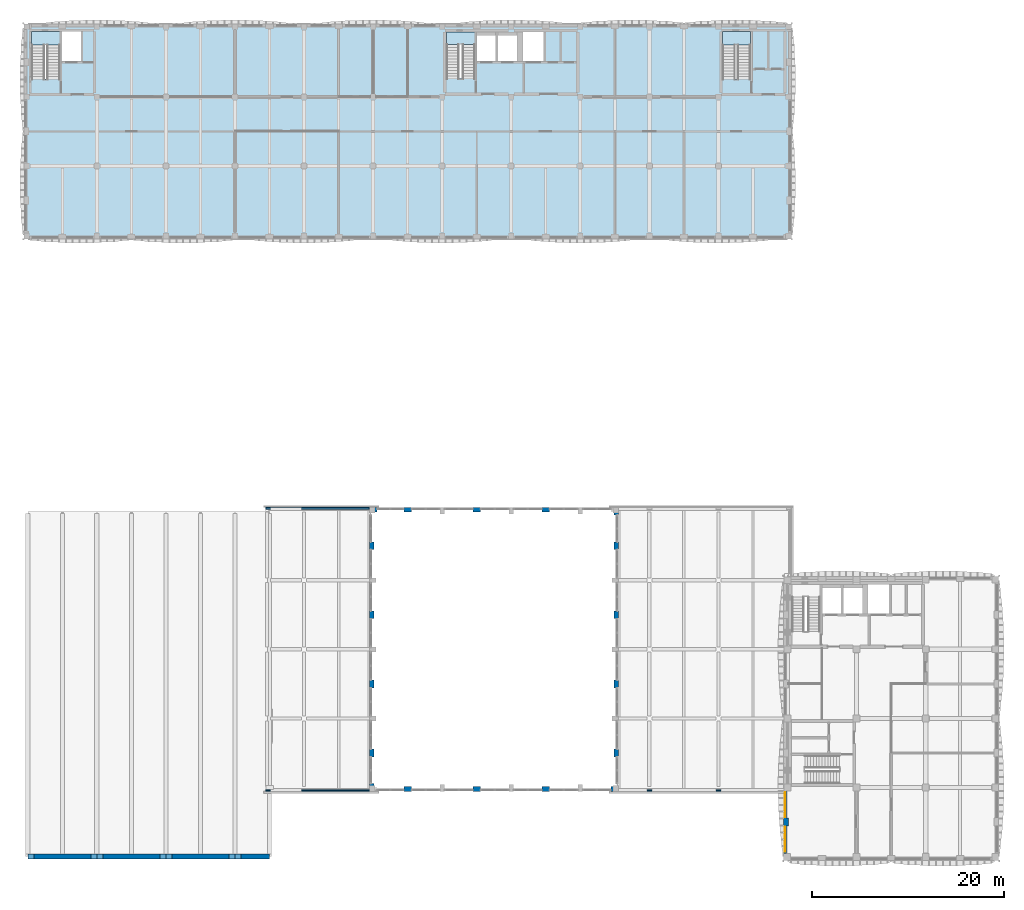
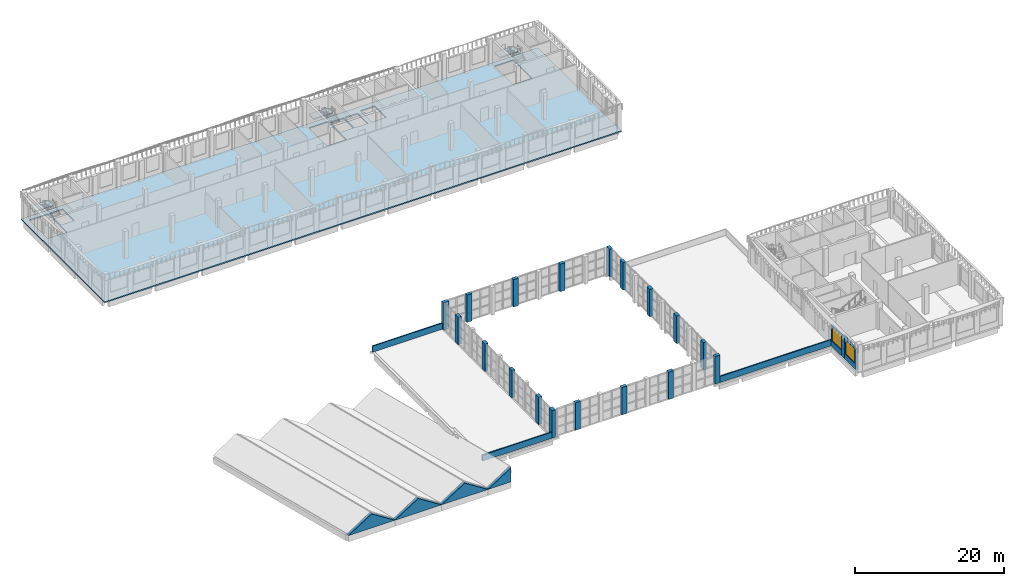
# One storey, part 13 of 44: 28 walls, 4 slabs, 2 windows, 2 openings, 3 elements without a shape of their own.
"""IFC4 building model written with IfcOpenShell, lengths in metres."""

from ifc_helpers import new_model, si_unit, direction, frame, frame_2d, origin, place, context, subcontext, project, spatial, polyline, rectangle, outline, extrude, material, layer, layer_set, type_object, element, fill, aggregate, save


model = new_model("IFC4")

# Units and contexts
model_context = context("Model", 3, precision=1e-05, world=origin(), true_north=direction((0.0, 1.0)))
body_context = subcontext(model_context, "Body", "Model", "MODEL_VIEW")
ifc_project = project(units=[si_unit("LENGTHUNIT", "METRE"), si_unit("AREAUNIT", "SQUARE_METRE"), si_unit("VOLUMEUNIT", "CUBIC_METRE"), si_unit("PLANEANGLEUNIT", "RADIAN"), si_unit("MASSUNIT", "GRAM", prefix="KILO")], contexts=[model_context])

# Site, building, storey
site_placement = place(None, origin())
site = spatial("IfcSite", under=ifc_project, at=site_placement, CompositionType="ELEMENT")
building_placement = place(site_placement, origin())
building = spatial("IfcBuilding", under=site, at=building_placement, Name="Ussher Court Research Institute", CompositionType="ELEMENT")
storey_placement = place(building_placement, frame((0.0, 0.0, 18.89990234375)))
storey = spatial("IfcBuildingStorey", under=building, at=storey_placement, Name="L04", CompositionType="ELEMENT", Elevation=18.89990234375)

# Slab
ifc_material_1 = material(Name="Concrete C35/45", Category="concrete")
ifc_layer_1 = layer(ifc_material_1, 0.199951171875)
ifc_layer_set_1 = layer_set([ifc_layer_1], Name="Concrete C35/45")
slab_type_1 = type_object("IfcSlabType", Name="Floor slab 200", PredefinedType="FLOOR", material=ifc_layer_set_1)
slab_1_placement = place(storey_placement, frame((0.0, 0.0, -0.199951171875)))
element("IfcSlab", 1, at=slab_1_placement, inside=storey, type_object=slab_type_1, Name="FS200 V5 L04-01", PredefinedType="FLOOR", context=body_context, shape_type="SweptSolid", body=[
    extrude(outline(polyline([(82.60009765625, 90.800048828125), (2.60009765625, 90.800048828125), (2.60009765625, 68.39990234375), (82.60009765625, 68.39990234375), (82.60009765625, 90.800048828125)]), holes=[polyline([(6.35009765625, 85.050048828125), (3.39990234375, 85.050048828125), (3.39990234375, 90.0), (6.35009765625, 90.0), (6.35009765625, 85.050048828125)]), polyline([(46.64990234375, 85.10009765625), (46.64990234375, 89.949951171875), (49.60009765625, 89.949951171875), (49.60009765625, 85.10009765625), (46.64990234375, 85.10009765625)]), polyline([(51.800048828125, 86.89990234375), (49.800048828125, 86.89990234375), (49.800048828125, 89.60009765625), (51.800048828125, 89.60009765625), (51.800048828125, 86.89990234375)]), polyline([(54.0, 89.60009765625), (54.0, 86.89990234375), (52.0, 86.89990234375), (52.0, 89.60009765625), (54.0, 89.60009765625)]), polyline([(56.800048828125, 86.89990234375), (54.60009765625, 86.89990234375), (54.60009765625, 89.949951171875), (56.800048828125, 89.949951171875), (56.800048828125, 86.89990234375)]), polyline([(8.550048828125, 86.89990234375), (6.550048828125, 86.89990234375), (6.550048828125, 90.0), (8.550048828125, 90.0), (8.550048828125, 86.89990234375)]), polyline([(75.39990234375, 85.050048828125), (75.39990234375, 90.0), (78.35009765625, 90.0), (78.35009765625, 85.050048828125), (75.39990234375, 85.050048828125)])]), origin(), (0.0, 0.0, 1.0), 0.199951171875),
])

# Stair, slab
ifc_material_2 = material(Name="Concrete C35/45", Category="concrete")
stair_type_1 = type_object("IfcStairType", Name="Core stair 26 risers 173 mm x 300 going 1280 wide", PredefinedType="HALF_TURN_STAIR", material=ifc_material_2)
stair_1_placement = place(storey_placement, origin())
stair_1 = element("IfcStair", 2, at=stair_1_placement, inside=storey, type_object=stair_type_1, Name="L04 Stair D2", PredefinedType="HALF_TURN_STAIR")
ifc_material_3 = material(Name="Concrete C35/45", Category="concrete")
ifc_layer_2 = layer(ifc_material_3, 0.199951171875)
ifc_layer_set_2 = layer_set([ifc_layer_2], Name="Concrete C35/45")
slab_type_2 = type_object("IfcSlabType", Name="Stair landing 200 RC", PredefinedType="LANDING", material=ifc_layer_set_2)
slab_2_placement = place(storey_placement, frame((0.0, 0.0, 2.050048828125)))
slab_2 = element("IfcSlab", 3, at=slab_2_placement, type_object=slab_type_2, Name="D2 landing 1", PredefinedType="LANDING", context=body_context, shape_type="SweptSolid", body=[
    extrude(outline(polyline([(49.60009765625, 88.64990234375), (49.60009765625, 89.949951171875), (46.64990234375, 89.949951171875), (46.64990234375, 88.64990234375), (49.60009765625, 88.64990234375)])), origin(), (0.0, 0.0, 1.0), 0.199951171875),
])
aggregate(stair_1, [slab_2])

ifc_material_4 = material(Name="Concrete C35/45", Category="concrete")
stair_type_2 = type_object("IfcStairType", Name="Core stair 26 risers 173 mm x 300 going 1350 wide", PredefinedType="HALF_TURN_STAIR", material=ifc_material_4)
stair_2_placement = place(storey_placement, origin())
stair_2 = element("IfcStair", 4, at=stair_2_placement, inside=storey, type_object=stair_type_2, Name="L04 Stair D1", PredefinedType="HALF_TURN_STAIR")
ifc_material_5 = material(Name="Concrete C35/45", Category="concrete")
ifc_layer_3 = layer(ifc_material_5, 0.239990234375)
ifc_layer_set_3 = layer_set([ifc_layer_3], Name="Concrete C35/45")
slab_type_3 = type_object("IfcSlabType", Name="Stair landing 240 RC", PredefinedType="LANDING", material=ifc_layer_set_3)
slab_3_placement = place(storey_placement, frame((0.0, 0.0, 2.050048828125)))
slab_3 = element("IfcSlab", 5, at=slab_3_placement, type_object=slab_type_3, Name="D1 landing 1", PredefinedType="LANDING", context=body_context, shape_type="SweptSolid", body=[
    extrude(outline(polyline([(6.35009765625, 88.60009765625), (6.35009765625, 90.0), (3.39990234375, 90.0), (3.39990234375, 88.60009765625), (6.35009765625, 88.60009765625)])), origin(), (0.0, 0.0, 1.0), 0.199951171875),
])
aggregate(stair_2, [slab_3])

stair_3_placement = place(storey_placement, origin())
stair_3 = element("IfcStair", 6, at=stair_3_placement, inside=storey, type_object=stair_type_2, Name="L04 Stair D3", PredefinedType="HALF_TURN_STAIR")
slab_4_placement = place(storey_placement, frame((0.0, 0.0, 2.050048828125)))
slab_4 = element("IfcSlab", 7, at=slab_4_placement, type_object=slab_type_3, Name="D3 landing 1", PredefinedType="LANDING", context=body_context, shape_type="SweptSolid", body=[
    extrude(outline(polyline([(78.35009765625, 88.60009765625), (78.35009765625, 90.0), (75.39990234375, 90.0), (75.39990234375, 88.60009765625), (78.35009765625, 88.60009765625)])), origin(), (0.0, 0.0, 1.0), 0.199951171875),
])
aggregate(stair_3, [slab_4])

# Walls
ifc_material_6 = material(Name="Concrete C35/45", Category="concrete")
ifc_layer_4 = layer(ifc_material_6, 0.5)
ifc_layer_set_4 = layer_set([ifc_layer_4], Name="Concrete C35/45")
wall_type_1 = type_object("IfcWallType", Name="End diaphragm wall 500", PredefinedType="SOLIDWALL", material=ifc_layer_set_4)
for number, where, z_axis, x_axis, name in (
    (8, (3.0, 4.0, 0.7802734375), (0.0, 0.0, 1.0), (1.0, 0.0, 0.0), "DW500 V1 L04-01"),
    (9, (10.199951171875, 4.0, 0.7802734375), (0.0, 0.0, 1.0), (1.0, 0.0, 0.0), "DW500 V1 L04-02"),
):
    element("IfcWall", number, at=place(storey_placement, frame(where, z_axis=z_axis, x_axis=x_axis)), inside=storey, type_object=wall_type_1, Name=name, PredefinedType="SOLIDWALL", context=body_context, shape_type="SweptSolid", body=[
        extrude(outline(polyline([(0.0, 0.0), (7.199951171875, 0.0), (7.199951171875, 0.02001953125), (3.60009765625, 2.303466796875), (0.0, 0.02001953125), (0.0, 0.0)])), frame((0.0, 0.25, 0.0), z_axis=(0.0, -1.0, 0.0), x_axis=(1.0, 0.0, 0.0)), (0.0, 0.0, 1.0), 0.5),
    ])
wall_1_placement = place(storey_placement, frame((17.39990234375, 4.0, 0.7802734375), z_axis=(0.0, 0.0, 1.0), x_axis=(1.0, 0.0, 0.0)))
element("IfcWall", 10, at=wall_1_placement, inside=storey, type_object=wall_type_1, Name="DW500 V1 L04-03", PredefinedType="SOLIDWALL", context=body_context, shape_type="SweptSolid", body=[
    extrude(outline(polyline([(0.0, 0.0), (7.2001953125, 0.0), (7.199951171875, 0.02001953125), (3.60009765625, 2.303466796875), (0.0, 0.02001953125), (0.0, 0.0)])), frame((0.0, 0.25, 0.0), z_axis=(0.0, -1.0, 0.0), x_axis=(1.0, 0.0, 0.0)), (0.0, 0.0, 1.0), 0.5),
])
wall_2_placement = place(storey_placement, frame((24.60009765625, 4.0, 0.7802734375), z_axis=(0.0, 0.0, 1.0), x_axis=(1.0, 0.0, 0.0)))
element("IfcWall", 11, at=wall_2_placement, inside=storey, type_object=wall_type_1, Name="DW500 V1 L04-04", PredefinedType="SOLIDWALL", context=body_context, shape_type="SweptSolid", body=[
    extrude(outline(polyline([(0.0, 0.0), (3.599853515625, 0.0), (3.60009765625, 2.303466796875), (0.0, 0.02001953125), (0.0, 0.0)])), frame((0.0, 0.25, 0.0), z_axis=(0.0, -1.0, 0.0), x_axis=(1.0, 0.0, 0.0)), (0.0, 0.0, 1.0), 0.5),
])

# Wall, opening, window
ifc_material_7 = material(Name="Blockwork with cream render", Category="masonry")
ifc_layer_5 = layer(ifc_material_7, 0.300048828125)
ifc_layer_set_5 = layer_set([ifc_layer_5], Name="Blockwork with cream render")
wall_type_2 = type_object("IfcWallType", Name="External wall 300 cream render", PredefinedType="SOLIDWALL", material=ifc_layer_set_5)
wall_3_placement = place(storey_placement, frame((81.949951171875, 4.300048828125, 0.0), z_axis=(0.0, 0.0, 1.0), x_axis=(0.0, 1.0, 0.0)))
wall_3 = element("IfcWall", 12, at=wall_3_placement, inside=storey, type_object=wall_type_2, Name="External wall EW1 L04", PredefinedType="SOLIDWALL", context=body_context, shape_type="SweptSolid", body=[
    extrude(rectangle(XDim=2.89990234375, YDim=0.300048828125, at=frame_2d((1.449951171875, 0.0))), origin(), (0.0, 0.0, 1.0), 3.400146484375),
])
opening_1_placement = place(wall_3_placement, frame((0.199951171875, 0.0, 0.89990234375)))
opening_1 = element("IfcOpeningElement", 13, at=opening_1_placement, cuts=wall_3, Name="Opening W01", PredefinedType="OPENING", context=body_context, shape_type="SweptSolid", body=[
    extrude(rectangle(XDim=2.60009765625, YDim=2.39990234375, at=frame_2d((1.300048828125, 1.199951171875))), frame((0.0, 0.16015625, 0.0), z_axis=(0.0, -1.0, 0.0), x_axis=(1.0, 0.0, 0.0)), (0.0, 0.0, 1.0), 0.320068359375),
])
ifc_material_8 = material(Name="Bronze anodised aluminium with double glazing", Category="aluminium")
window_type = type_object("IfcWindowType", Name="Laboratory bay window 2600x2400", PartitioningType="DOUBLE_PANEL_VERTICAL", PredefinedType="WINDOW", material=ifc_material_8)
window_1_placement = place(opening_1_placement, origin())
window_1 = element("IfcWindow", 14, at=window_1_placement, inside=storey, type_object=window_type, Name="Window W01 L04", OverallHeight=2.39990234375, OverallWidth=2.60009765625, PartitioningType="SINGLE_PANEL", PredefinedType="WINDOW", context=body_context, shape_type="SweptSolid", body=[
    extrude(rectangle(XDim=2.60009765625, YDim=2.39990234375, at=frame_2d((1.300048828125, 1.199951171875))), frame((0.0, 0.030029296875, 0.0), z_axis=(0.0, -1.0, 0.0), x_axis=(1.0, 0.0, 0.0)), (0.0, 0.0, 1.0), 0.06005859375),
])
fill(opening_1, window_1)

wall_4_placement = place(storey_placement, frame((81.949951171875, 8.0, 0.0), z_axis=(0.0, 0.0, 1.0), x_axis=(0.0, 1.0, 0.0)))
wall_4 = element("IfcWall", 15, at=wall_4_placement, inside=storey, type_object=wall_type_2, Name="External wall EW1 L04", PredefinedType="SOLIDWALL", context=body_context, shape_type="SweptSolid", body=[
    extrude(rectangle(XDim=2.85009765625, YDim=0.300048828125, at=frame_2d((1.425048828125, 0.0))), origin(), (0.0, 0.0, 1.0), 3.400146484375),
])
opening_2_placement = place(wall_4_placement, frame((0.10009765625, 0.0, 0.89990234375)))
opening_2 = element("IfcOpeningElement", 16, at=opening_2_placement, cuts=wall_4, Name="Opening W01", PredefinedType="OPENING", context=body_context, shape_type="SweptSolid", body=[
    extrude(rectangle(XDim=2.60009765625, YDim=2.39990234375, at=frame_2d((1.300048828125, 1.199951171875))), frame((0.0, 0.16015625, 0.0), z_axis=(0.0, -1.0, 0.0), x_axis=(1.0, 0.0, 0.0)), (0.0, 0.0, 1.0), 0.320068359375),
])
window_2_placement = place(opening_2_placement, origin())
window_2 = element("IfcWindow", 17, at=window_2_placement, inside=storey, type_object=window_type, Name="Window W01 L04", OverallHeight=2.39990234375, OverallWidth=2.60009765625, PartitioningType="SINGLE_PANEL", PredefinedType="WINDOW", context=body_context, shape_type="SweptSolid", body=[
    extrude(rectangle(XDim=2.60009765625, YDim=2.39990234375, at=frame_2d((1.300048828125, 1.199951171875))), frame((0.0, 0.030029296875, 0.0), z_axis=(0.0, -1.0, 0.0), x_axis=(1.0, 0.0, 0.0)), (0.0, 0.0, 1.0), 0.06005859375),
])
fill(opening_2, window_2)

# Walls
ifc_material_9 = material(Name="Blockwork with cream render", Category="masonry")
ifc_layer_6 = layer(ifc_material_9, 0.179931640625)
ifc_layer_set_6 = layer_set([ifc_layer_6], Name="Blockwork with cream render")
wall_type_3 = type_object("IfcWallType", Name="Parapet 180 cream render", PredefinedType="PARAPET", material=ifc_layer_set_6)
wall_5_placement = place(storey_placement, frame((64.60009765625, 10.889892578125, 0.0), z_axis=(0.0, 0.0, 1.0), x_axis=(1.0, 0.0, 0.0)))
element("IfcWall", 18, at=wall_5_placement, inside=storey, type_object=wall_type_3, Name="Parapet PW1", PredefinedType="PARAPET", context=body_context, shape_type="SweptSolid", body=[
    extrude(rectangle(XDim=17.199951171875, YDim=0.179931640625, at=frame_2d((8.60009765625, 0.0))), origin(), (0.0, 0.0, 1.0), 1.0),
])
for number, where, z_axis, x_axis, name in (
    (19, (38.60009765625, 40.31005859375, 0.0), (0.0, 0.0, 1.0), (-1.0, 0.0, 0.0), "Parapet PW1"),
    (20, (27.800048828125, 10.889892578125, 0.0), (0.0, 0.0, 1.0), (1.0, 0.0, 0.0), "Parapet PW1"),
):
    element("IfcWall", number, at=place(storey_placement, frame(where, z_axis=z_axis, x_axis=x_axis)), inside=storey, type_object=wall_type_3, Name=name, PredefinedType="PARAPET", context=body_context, shape_type="SweptSolid", body=[
        extrude(rectangle(XDim=10.800048828125, YDim=0.179931640625, at=frame_2d((5.39990234375, 0.0))), origin(), (0.0, 0.0, 1.0), 1.0),
    ])
ifc_material_10 = material(Name="Blockwork with cream render", Category="masonry")
ifc_layer_7 = layer(ifc_material_10, 0.5)
ifc_layer_set_7 = layer_set([ifc_layer_7], Name="Blockwork with cream render")
wall_type_4 = type_object("IfcWallType", Name="Pier 800x500 cream render", PredefinedType="SOLIDWALL", material=ifc_layer_set_7)
wall_6_placement = place(storey_placement, frame((82.050048828125, 7.199951171875, 0.0), z_axis=(0.0, 0.0, 1.0), x_axis=(0.0, 1.0, 0.0)))
element("IfcWall", 21, at=wall_6_placement, inside=storey, type_object=wall_type_4, Name="Pier PR1 L04", PredefinedType="SOLIDWALL", context=body_context, shape_type="SweptSolid", body=[
    extrude(rectangle(XDim=0.800048828125, YDim=0.5, at=frame_2d((0.39990234375, 0.0))), origin(), (0.0, 0.0, 1.0), 3.400146484375),
])
ifc_material_11 = material(Name="Rusticated limestone facing on blockwork", Category="masonry")
ifc_layer_8 = layer(ifc_material_11, 0.5)
ifc_layer_set_8 = layer_set([ifc_layer_8], Name="Rusticated limestone facing on blockwork")
wall_type_5 = type_object("IfcWallType", Name="Pier 800x500 rusticated limestone", PredefinedType="SOLIDWALL", material=ifc_layer_set_8)
wall_7_placement = place(storey_placement, frame((64.35009765625, 40.39990234375, 0.0), z_axis=(0.0, 0.0, 1.0), x_axis=(0.0, -1.0, 0.0)))
element("IfcWall", 22, at=wall_7_placement, inside=storey, type_object=wall_type_5, Name="Pier PR2 L04", PredefinedType="SOLIDWALL", context=body_context, shape_type="SweptSolid", body=[
    extrude(rectangle(XDim=0.7998046875, YDim=0.5, at=frame_2d((0.39990234375, 0.0))), origin(), (0.0, 0.0, 1.0), 4.5),
])
for number, where, z_axis, x_axis, name in (
    (23, (64.35009765625, 36.800048828125, 0.0), (0.0, 0.0, 1.0), (0.0, -1.0, 0.0), "Pier PR2 L04"),
    (24, (64.35009765625, 29.60009765625, 0.0), (0.0, 0.0, 1.0), (0.0, -1.0, 0.0), "Pier PR2 L04"),
):
    element("IfcWall", number, at=place(storey_placement, frame(where, z_axis=z_axis, x_axis=x_axis)), inside=storey, type_object=wall_type_5, Name=name, PredefinedType="SOLIDWALL", context=body_context, shape_type="SweptSolid", body=[
        extrude(rectangle(XDim=0.800048828125, YDim=0.5, at=frame_2d((0.39990234375, 0.0))), origin(), (0.0, 0.0, 1.0), 4.5),
    ])
wall_8_placement = place(storey_placement, frame((64.35009765625, 22.39990234375, 0.0), z_axis=(0.0, 0.0, 1.0), x_axis=(0.0, -1.0, 0.0)))
element("IfcWall", 25, at=wall_8_placement, inside=storey, type_object=wall_type_5, Name="Pier PR2 L04", PredefinedType="SOLIDWALL", context=body_context, shape_type="SweptSolid", body=[
    extrude(rectangle(XDim=0.7998046875, YDim=0.5, at=frame_2d((0.39990234375, 0.0))), origin(), (0.0, 0.0, 1.0), 4.5),
])
for number, where, z_axis, x_axis, name in (
    (26, (64.35009765625, 15.199951171875, 0.0), (0.0, 0.0, 1.0), (0.0, -1.0, 0.0), "Pier PR2 L04"),
    (27, (64.60009765625, 11.050048828125, 0.0), (0.0, 0.0, 1.0), (-1.0, 0.0, 0.0), "Pier PR2 L04"),
):
    element("IfcWall", number, at=place(storey_placement, frame(where, z_axis=z_axis, x_axis=x_axis)), inside=storey, type_object=wall_type_5, Name=name, PredefinedType="SOLIDWALL", context=body_context, shape_type="SweptSolid", body=[
        extrude(rectangle(XDim=0.800048828125, YDim=0.5, at=frame_2d((0.39990234375, 0.0))), origin(), (0.0, 0.0, 1.0), 4.5),
    ])
wall_9_placement = place(storey_placement, frame((57.39990234375, 11.050048828125, 0.0), z_axis=(0.0, 0.0, 1.0), x_axis=(-1.0, 0.0, 0.0)))
element("IfcWall", 28, at=wall_9_placement, inside=storey, type_object=wall_type_5, Name="Pier PR2 L04", PredefinedType="SOLIDWALL", context=body_context, shape_type="SweptSolid", body=[
    extrude(rectangle(XDim=0.7998046875, YDim=0.5, at=frame_2d((0.39990234375, 0.0))), origin(), (0.0, 0.0, 1.0), 4.5),
])
for number, where, z_axis, x_axis, name in (
    (29, (50.199951171875, 11.050048828125, 0.0), (0.0, 0.0, 1.0), (-1.0, 0.0, 0.0), "Pier PR2 L04"),
    (30, (43.0, 11.050048828125, 0.0), (0.0, 0.0, 1.0), (-1.0, 0.0, 0.0), "Pier PR2 L04"),
    (31, (38.85009765625, 10.800048828125, 0.0), (0.0, 0.0, 1.0), (0.0, 1.0, 0.0), "Pier PR2 L04"),
    (32, (38.85009765625, 14.39990234375, 0.0), (0.0, 0.0, 1.0), (0.0, 1.0, 0.0), "Pier PR2 L04"),
):
    element("IfcWall", number, at=place(storey_placement, frame(where, z_axis=z_axis, x_axis=x_axis)), inside=storey, type_object=wall_type_5, Name=name, PredefinedType="SOLIDWALL", context=body_context, shape_type="SweptSolid", body=[
        extrude(rectangle(XDim=0.800048828125, YDim=0.5, at=frame_2d((0.39990234375, 0.0))), origin(), (0.0, 0.0, 1.0), 4.5),
    ])
wall_10_placement = place(storey_placement, frame((38.85009765625, 21.60009765625, 0.0), z_axis=(0.0, 0.0, 1.0), x_axis=(0.0, 1.0, 0.0)))
element("IfcWall", 33, at=wall_10_placement, inside=storey, type_object=wall_type_5, Name="Pier PR2 L04", PredefinedType="SOLIDWALL", context=body_context, shape_type="SweptSolid", body=[
    extrude(rectangle(XDim=0.7998046875, YDim=0.5, at=frame_2d((0.39990234375, 0.0))), origin(), (0.0, 0.0, 1.0), 4.5),
])
for number, where, z_axis, x_axis, name in (
    (34, (38.85009765625, 28.800048828125, 0.0), (0.0, 0.0, 1.0), (0.0, 1.0, 0.0), "Pier PR2 L04"),
    (35, (38.85009765625, 36.0, 0.0), (0.0, 0.0, 1.0), (0.0, 1.0, 0.0), "Pier PR2 L04"),
):
    element("IfcWall", number, at=place(storey_placement, frame(where, z_axis=z_axis, x_axis=x_axis)), inside=storey, type_object=wall_type_5, Name=name, PredefinedType="SOLIDWALL", context=body_context, shape_type="SweptSolid", body=[
        extrude(rectangle(XDim=0.800048828125, YDim=0.5, at=frame_2d((0.39990234375, 0.0))), origin(), (0.0, 0.0, 1.0), 4.5),
    ])
wall_11_placement = place(storey_placement, frame((38.60009765625, 40.14990234375, 0.0), z_axis=(0.0, 0.0, 1.0), x_axis=(1.0, 0.0, 0.0)))
element("IfcWall", 36, at=wall_11_placement, inside=storey, type_object=wall_type_5, Name="Pier PR2 L04", PredefinedType="SOLIDWALL", context=body_context, shape_type="SweptSolid", body=[
    extrude(rectangle(XDim=0.7998046875, YDim=0.5, at=frame_2d((0.39990234375, 0.0))), origin(), (0.0, 0.0, 1.0), 4.5),
])
for number, where, z_axis, x_axis, name in (
    (37, (42.199951171875, 40.14990234375, 0.0), (0.0, 0.0, 1.0), (1.0, 0.0, 0.0), "Pier PR2 L04"),
    (38, (49.39990234375, 40.14990234375, 0.0), (0.0, 0.0, 1.0), (1.0, 0.0, 0.0), "Pier PR2 L04"),
):
    element("IfcWall", number, at=place(storey_placement, frame(where, z_axis=z_axis, x_axis=x_axis)), inside=storey, type_object=wall_type_5, Name=name, PredefinedType="SOLIDWALL", context=body_context, shape_type="SweptSolid", body=[
        extrude(rectangle(XDim=0.800048828125, YDim=0.5, at=frame_2d((0.39990234375, 0.0))), origin(), (0.0, 0.0, 1.0), 4.5),
    ])
wall_12_placement = place(storey_placement, frame((56.60009765625, 40.14990234375, 0.0), z_axis=(0.0, 0.0, 1.0), x_axis=(1.0, 0.0, 0.0)))
element("IfcWall", 39, at=wall_12_placement, inside=storey, type_object=wall_type_5, Name="Pier PR2 L04", PredefinedType="SOLIDWALL", context=body_context, shape_type="SweptSolid", body=[
    extrude(rectangle(XDim=0.7998046875, YDim=0.5, at=frame_2d((0.39990234375, 0.0))), origin(), (0.0, 0.0, 1.0), 4.5),
])

save(model, "model.ifc")
